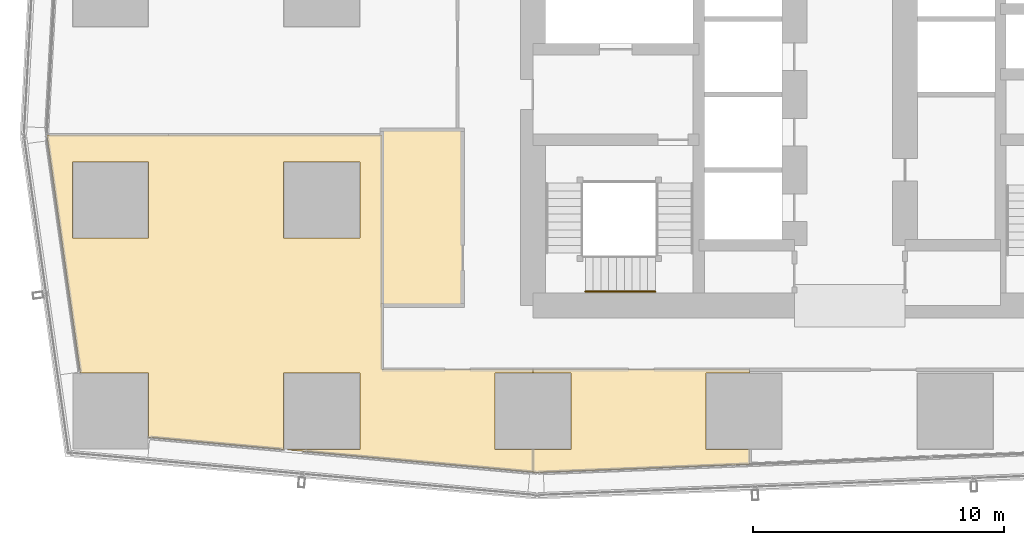
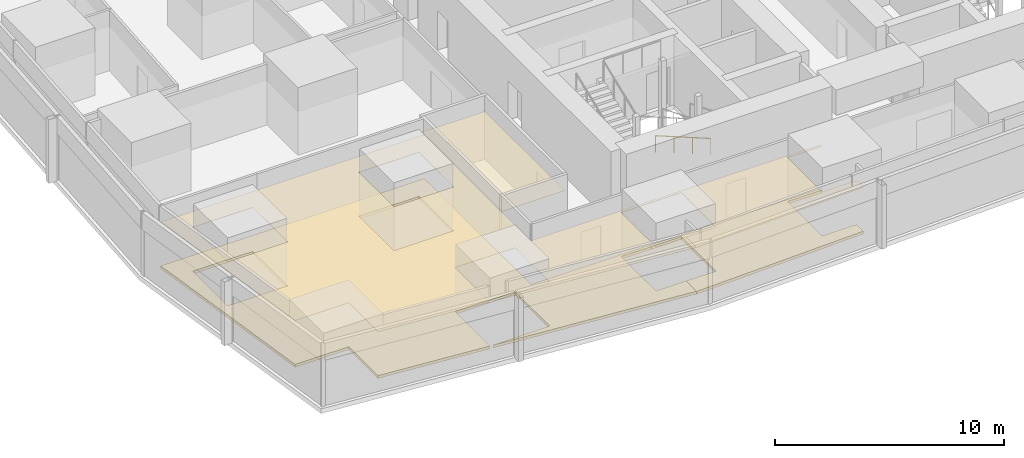
# One storey, part 31 of 38: 5 coverings, 1 railing.
"""IFC4 building model written with IfcOpenShell, lengths in metres."""

from ifc_helpers import new_model, si_unit, direction, frame, origin, origin_2d, place, context, subcontext, project, spatial, polyline, circle, outline, extrude, material, layer, layer_set, type_object, element, save


model = new_model("IFC4")

# Units and contexts
model_context = context("Model", 3, precision=1e-05, world=origin(), true_north=direction((0.0, 1.0)))
body_context = subcontext(model_context, "Body", "Model", "MODEL_VIEW")
ifc_project = project(units=[si_unit("LENGTHUNIT", "METRE"), si_unit("AREAUNIT", "SQUARE_METRE"), si_unit("VOLUMEUNIT", "CUBIC_METRE"), si_unit("PLANEANGLEUNIT", "RADIAN"), si_unit("MASSUNIT", "GRAM", prefix="KILO")], contexts=[model_context])

# Site, building, storey
site_placement = place(None, origin())
site = spatial("IfcSite", under=ifc_project, at=site_placement, CompositionType="ELEMENT")
building_placement = place(site_placement, origin())
building = spatial("IfcBuilding", under=site, at=building_placement, Name="Rekha Terrace Tower", CompositionType="ELEMENT")
storey_placement = place(building_placement, frame((0.0, 0.0, 159.050048828125)))
storey = spatial("IfcBuildingStorey", under=building, at=storey_placement, Name="L40", CompositionType="ELEMENT", Elevation=159.050048828125)

# Coverings
ifc_material_1 = material(Name="Mineral fibre tile in exposed grid", Category="finish")
ifc_layer_1 = layer(ifc_material_1, 0.02001953125)
ifc_layer_set_1 = layer_set([ifc_layer_1], Name="Mineral fibre tile in exposed grid")
covering_type_1 = type_object("IfcCoveringType", Name="CL1 600x1200 office grid ceiling", PredefinedType="CEILING", material=ifc_layer_set_1)
covering_1_placement = place(storey_placement, frame((0.0, 0.0, 2.47998046875)))
element("IfcCovering", 1, at=covering_1_placement, inside=storey, type_object=covering_type_1, Name="Ceiling L40-15", PredefinedType="CEILING", context=body_context, shape_type="SweptSolid", body=[
    extrude(outline(polyline([(15.239990234375, 15.280029296875), (15.284912109375, 15.27587890625), (15.284912109375, 18.31494140625), (18.31494140625, 18.31494140625), (18.31494140625, 15.284912109375), (15.44091796875, 15.284912109375), (15.43994140625, 15.261962890625), (25.200927734375, 14.375), (25.200927734375, 15.284912109375), (23.68505859375, 15.284912109375), (23.68505859375, 18.31494140625), (25.200927734375, 18.31494140625), (25.200927734375, 18.449951171875), (19.199951171875, 18.449951171875), (19.199951171875, 27.781005859375), (5.867919921875, 27.781005859375), (7.202880859375, 18.31494140625), (9.9150390625, 18.31494140625), (9.9150390625, 15.763916015625), (15.199951171875, 15.283935546875), (15.239990234375, 15.280029296875)]), holes=[polyline([(18.31494140625, 26.715087890625), (18.31494140625, 23.68505859375), (15.284912109375, 23.68505859375), (15.284912109375, 26.715087890625), (18.31494140625, 26.715087890625)]), polyline([(9.9150390625, 23.68505859375), (6.885009765625, 23.68505859375), (6.885009765625, 26.715087890625), (9.9150390625, 26.715087890625), (9.9150390625, 23.68505859375)])]), origin(), (0.0, 0.0, 1.0), 0.02001953125),
])
covering_2_placement = place(storey_placement, frame((0.0, 0.0, 2.47998046875)))
element("IfcCovering", 2, at=covering_2_placement, inside=storey, type_object=covering_type_1, Name="Ceiling L40-16", PredefinedType="CEILING", context=body_context, shape_type="SweptSolid", body=[
    extrude(outline(polyline([(33.824951171875, 18.31494140625), (33.824951171875, 18.449951171875), (25.201904296875, 18.449951171875), (25.201904296875, 18.31494140625), (26.715087890625, 18.31494140625), (26.715087890625, 15.284912109375), (25.201904296875, 15.284912109375), (25.201904296875, 14.35595703125), (33.824951171875, 14.69189453125), (33.824951171875, 15.284912109375), (32.0849609375, 15.284912109375), (32.0849609375, 18.31494140625), (33.824951171875, 18.31494140625)])), origin(), (0.0, 0.0, 1.0), 0.02001953125),
])
ifc_material_2 = material(Name="Fibre cement board", Category="finish")
ifc_layer_2 = layer(ifc_material_2, 0.014892578125)
ifc_layer_set_2 = layer_set([ifc_layer_2], Name="Fibre cement board")
covering_type_2 = type_object("IfcCoveringType", Name="CL2 moisture-resistant board ceiling", PredefinedType="CEILING", material=ifc_layer_set_2)
covering_3_placement = place(storey_placement, frame((0.0, 0.0, 2.48486328125)))
element("IfcCovering", 3, at=covering_3_placement, inside=storey, type_object=covering_type_2, Name="Ceiling L40-WCM", PredefinedType="CEILING", context=body_context, shape_type="SweptSolid", body=[
    extrude(outline(polyline([(22.39990234375, 28.0), (19.199951171875, 28.0), (19.199951171875, 21.0), (22.39990234375, 21.0), (22.39990234375, 28.0)])), origin(), (0.0, 0.0, 1.0), 0.01513671875),
])

# Railing
ifc_material_3 = material(Name="Stainless steel tube", Category="steel")
railing_type = type_object("IfcRailingType", Name="HR1 900 stair handrail", PredefinedType="HANDRAIL", material=ifc_material_3)
railing_placement = place(storey_placement, frame((30.074951171875, 21.56005859375, 1.375)))
element("IfcRailing", 4, at=railing_placement, inside=storey, type_object=railing_type, Name="Handrail ST1 L40 flight 2", PredefinedType="HANDRAIL", context=body_context, shape_type="SweptSolid", body=[
    extrude(circle(Radius=0.02392578125, at=origin_2d()), frame((0.0, 0.0, 0.8759765625), z_axis=(-0.927443287984, 0.0, 0.373963831907), x_axis=(0.0, -1.0, 0.0)), (0.0, 0.0, 1.0), 3.00830078125),
    extrude(circle(Radius=0.02099609375, at=origin_2d()), origin(), (0.0, 0.0, 1.0), 0.851806640625),
    extrude(circle(Radius=0.02099609375, at=origin_2d()), frame((-0.929931640625, 0.0, 0.375)), (0.0, 0.0, 1.0), 0.851806640625),
    extrude(circle(Radius=0.02099609375, at=origin_2d()), frame((-1.860107421875, 0.0, 0.75)), (0.0, 0.0, 1.0), 0.851806640625),
    extrude(circle(Radius=0.02099609375, at=origin_2d()), frame((-2.7900390625, 0.0, 1.125)), (0.0, 0.0, 1.0), 0.851806640625),
])

# Coverings
ifc_material_4 = material(Name="Calcium sulphate panels on steel pedestals", Category="steel")
ifc_layer_3 = layer(ifc_material_4, 0.14990234375)
ifc_layer_set_3 = layer_set([ifc_layer_3], Name="Calcium sulphate panels on steel pedestals")
covering_type_3 = type_object("IfcCoveringType", Name="RF1 150 raised access floor", PredefinedType="FLOORING", material=ifc_layer_set_3)
covering_4_placement = place(storey_placement, origin())
element("IfcCovering", 5, at=covering_4_placement, inside=storey, type_object=covering_type_3, Name="Raised floor L40-15", PredefinedType="FLOORING", context=body_context, shape_type="SweptSolid", body=[
    extrude(outline(polyline([(15.239990234375, 15.280029296875), (15.284912109375, 15.27587890625), (15.284912109375, 18.31494140625), (18.31494140625, 18.31494140625), (18.31494140625, 15.284912109375), (15.44091796875, 15.284912109375), (15.43994140625, 15.261962890625), (25.200927734375, 14.375), (25.200927734375, 15.284912109375), (23.68505859375, 15.284912109375), (23.68505859375, 18.31494140625), (25.200927734375, 18.31494140625), (25.200927734375, 18.449951171875), (19.199951171875, 18.449951171875), (19.199951171875, 27.781005859375), (5.867919921875, 27.781005859375), (7.202880859375, 18.31494140625), (9.9150390625, 18.31494140625), (9.9150390625, 15.763916015625), (15.199951171875, 15.283935546875), (15.239990234375, 15.280029296875)]), holes=[polyline([(18.31494140625, 26.715087890625), (18.31494140625, 23.68505859375), (15.284912109375, 23.68505859375), (15.284912109375, 26.715087890625), (18.31494140625, 26.715087890625)]), polyline([(9.9150390625, 23.68505859375), (6.885009765625, 23.68505859375), (6.885009765625, 26.715087890625), (9.9150390625, 26.715087890625), (9.9150390625, 23.68505859375)])]), origin(), (0.0, 0.0, 1.0), 0.14990234375),
])
covering_5_placement = place(storey_placement, origin())
element("IfcCovering", 6, at=covering_5_placement, inside=storey, type_object=covering_type_3, Name="Raised floor L40-16", PredefinedType="FLOORING", context=body_context, shape_type="SweptSolid", body=[
    extrude(outline(polyline([(33.824951171875, 18.31494140625), (33.824951171875, 18.449951171875), (25.201904296875, 18.449951171875), (25.201904296875, 18.31494140625), (26.715087890625, 18.31494140625), (26.715087890625, 15.284912109375), (25.201904296875, 15.284912109375), (25.201904296875, 14.35595703125), (33.824951171875, 14.69189453125), (33.824951171875, 15.284912109375), (32.0849609375, 15.284912109375), (32.0849609375, 18.31494140625), (33.824951171875, 18.31494140625)])), origin(), (0.0, 0.0, 1.0), 0.14990234375),
])

save(model, "model.ifc")
